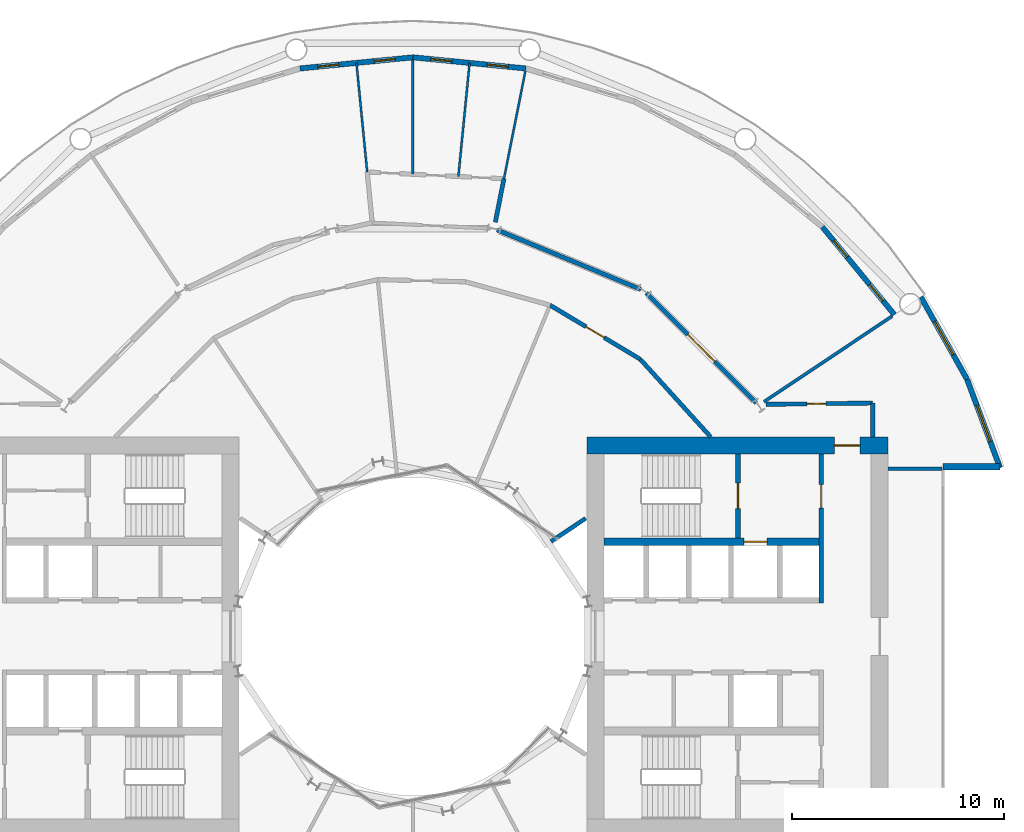
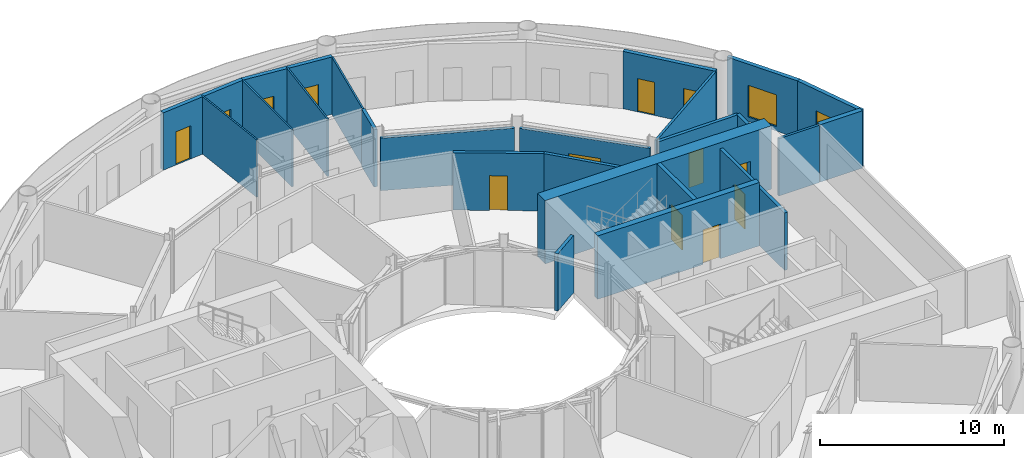
# One storey, part 15 of 19: 24 walls, 13 doors, 2 windows, 15 openings.
"""IFC4 building model written with IfcOpenShell, lengths in metres."""

from ifc_helpers import new_model, si_unit, direction, frame, frame_2d, origin, place, context, subcontext, project, spatial, rectangle, extrude, material, layer, layer_set, type_object, element, fill, save


model = new_model("IFC4")

# Units and contexts
model_context = context("Model", 3, precision=1e-05, world=origin(), true_north=direction((0.0, 1.0)))
body_context = subcontext(model_context, "Body", "Model", "MODEL_VIEW")
ifc_project = project(units=[si_unit("LENGTHUNIT", "METRE"), si_unit("AREAUNIT", "SQUARE_METRE"), si_unit("VOLUMEUNIT", "CUBIC_METRE"), si_unit("PLANEANGLEUNIT", "RADIAN"), si_unit("MASSUNIT", "GRAM", prefix="KILO")], contexts=[model_context])

# Site, building, storey
site_placement = place(None, origin())
site = spatial("IfcSite", under=ifc_project, at=site_placement, CompositionType="ELEMENT")
building_placement = place(site_placement, origin())
building = spatial("IfcBuilding", under=site, at=building_placement, Name="Maasbend Ring Residences", CompositionType="ELEMENT")
storey_placement = place(building_placement, frame((0.0, 0.0, 53.300048828125)))
storey = spatial("IfcBuildingStorey", under=building, at=storey_placement, Name="L15", CompositionType="ELEMENT", Elevation=53.300048828125)

# Wall, opening, door
ifc_material_1 = material(Name="Concrete C70/85", Category="concrete")
ifc_layer_1 = layer(ifc_material_1, 0.25)
ifc_layer_set_1 = layer_set([ifc_layer_1], Name="Concrete C70/85")
wall_type_1 = type_object("IfcWallType", Name="CORE WALL 250 C70/85", PredefinedType="SHEAR", material=ifc_layer_set_1)
wall_1_placement = place(storey_placement, frame((15.324951171875, 4.64990234375, 0.0), z_axis=(0.0, 0.0, 1.0), x_axis=(0.0, 1.0, 0.0)))
wall_1 = element("IfcWall", 1, at=wall_1_placement, inside=storey, type_object=wall_type_1, Name="L15 core E wall STEN", PredefinedType="SHEAR", context=body_context, shape_type="SweptSolid", body=[
    extrude(rectangle(XDim=3.9501953125, YDim=0.25, at=frame_2d((1.97509765625, 0.0))), origin(), (0.0, 0.0, 1.0), 4.199951171875),
])
opening_1_placement = place(wall_1_placement, frame((1.375, 0.0, 0.0)))
opening_1 = element("IfcOpeningElement", 2, at=opening_1_placement, cuts=wall_1, Name="Opening D-E1510", PredefinedType="OPENING", context=body_context, shape_type="SweptSolid", body=[
    extrude(rectangle(XDim=1.199951171875, YDim=2.300048828125, at=frame_2d((0.60009765625, 1.14990234375))), frame((0.0, 0.135009765625, 0.0), z_axis=(0.0, -1.0, 0.0), x_axis=(1.0, 0.0, 0.0)), (0.0, 0.0, 1.0), 0.27001953125),
])
ifc_material_2 = material(Name="Steel, powder coated", Category="steel")
door_type_1 = type_object("IfcDoorType", Name="STAIR DOOR 1200 X 2300 FD60", OperationType="NOTDEFINED", PredefinedType="DOOR", material=ifc_material_2)
door_1_placement = place(opening_1_placement, origin())
door_1 = element("IfcDoor", 3, at=door_1_placement, inside=storey, type_object=door_type_1, Name="Stair door ST-E L15", OperationType="SINGLE_SWING_LEFT", OverallHeight=2.300048828125, OverallWidth=1.199951171875, PredefinedType="DOOR", context=body_context, shape_type="SweptSolid", body=[
    extrude(rectangle(XDim=1.199951171875, YDim=2.300048828125, at=frame_2d((0.60009765625, 1.14990234375))), frame((0.0, 0.02490234375, 0.0), z_axis=(0.0, -1.0, 0.0), x_axis=(1.0, 0.0, 0.0)), (0.0, 0.0, 1.0), 0.050048828125),
])
fill(opening_1, door_1)

ifc_material_3 = material(Name="Concrete C70/85", Category="concrete")
ifc_layer_2 = layer(ifc_material_3, 0.375)
ifc_layer_set_2 = layer_set([ifc_layer_2], Name="Concrete C70/85")
wall_type_2 = type_object("IfcWallType", Name="CORE WALL 375 C70/85", PredefinedType="SHEAR", material=ifc_layer_set_2)
wall_2_placement = place(storey_placement, frame((9.0, 4.46240234375, 0.0), z_axis=(0.0, 0.0, 1.0), x_axis=(1.0, 0.0, 0.0)))
wall_2 = element("IfcWall", 4, at=wall_2_placement, inside=storey, type_object=wall_type_2, Name="L15 core E wall BN", PredefinedType="SHEAR", context=body_context, shape_type="SweptSolid", body=[
    extrude(rectangle(XDim=10.14990234375, YDim=0.375, at=frame_2d((5.074951171875, 0.0))), origin(), (0.0, 0.0, 1.0), 4.199951171875),
])
opening_2_placement = place(wall_2_placement, frame((6.60009765625, 0.0, 0.0)))
opening_2 = element("IfcOpeningElement", 5, at=opening_2_placement, cuts=wall_2, Name="Opening LD-E1504", PredefinedType="OPENING", context=body_context, shape_type="SweptSolid", body=[
    extrude(rectangle(XDim=1.10009765625, YDim=2.300048828125, at=frame_2d((0.550048828125, 1.14990234375))), frame((0.0, 0.197509765625, 0.0), z_axis=(0.0, -1.0, 0.0), x_axis=(1.0, 0.0, 0.0)), (0.0, 0.0, 1.0), 0.39501953125),
])
ifc_material_4 = material(Name="Stainless steel 316", Category="steel")
door_type_2 = type_object("IfcDoorType", Name="LANDING DOOR 1100 X 2300 FD60", OperationType="DOUBLE_DOOR_SLIDING", PredefinedType="DOOR", material=ifc_material_4)
door_2_placement = place(opening_2_placement, origin())
door_2 = element("IfcDoor", 6, at=door_2_placement, inside=storey, type_object=door_type_2, Name="Landing door FF-E L15", OperationType="DOUBLE_DOOR_SLIDING", OverallHeight=2.300048828125, OverallWidth=1.10009765625, PredefinedType="DOOR", context=body_context, shape_type="SweptSolid", body=[
    extrude(rectangle(XDim=1.10009765625, YDim=2.300048828125, at=frame_2d((0.550048828125, 1.14990234375))), frame((0.0, 0.02490234375, 0.0), z_axis=(0.0, -1.0, 0.0), x_axis=(1.0, 0.0, 0.0)), (0.0, 0.0, 1.0), 0.050048828125),
])
fill(opening_2, door_2)

ifc_material_5 = material(Name="Concrete C70/85", Category="concrete")
ifc_layer_3 = layer(ifc_material_5, 0.800048828125)
ifc_layer_set_3 = layer_set([ifc_layer_3], Name="Concrete C70/85")
wall_type_3 = type_object("IfcWallType", Name="CORE WALL 800 C70/85", PredefinedType="SHEAR", material=ifc_layer_set_3)
wall_3_placement = place(storey_placement, frame((22.39990234375, 9.0, 0.0), z_axis=(0.0, 0.0, 1.0), x_axis=(-1.0, 0.0, 0.0)))
wall_3 = element("IfcWall", 7, at=wall_3_placement, inside=storey, type_object=wall_type_3, Name="L15 core E wall PN", PredefinedType="SHEAR", context=body_context, shape_type="SweptSolid", body=[
    extrude(rectangle(XDim=14.199951171875, YDim=0.800048828125, at=frame_2d((7.10009765625, 0.0))), origin(), (0.0, 0.0, 1.0), 4.199951171875),
])
opening_3_placement = place(wall_3_placement, frame((1.324951171875, 0.0, 0.0)))
opening_3 = element("IfcOpeningElement", 8, at=opening_3_placement, cuts=wall_3, Name="Opening D-E1514", PredefinedType="OPENING", context=body_context, shape_type="SweptSolid", body=[
    extrude(rectangle(XDim=1.199951171875, YDim=2.300048828125, at=frame_2d((0.60009765625, 1.14990234375))), frame((0.0, 0.41015625, 0.0), z_axis=(0.0, -1.0, 0.0), x_axis=(1.0, 0.0, 0.0)), (0.0, 0.0, 1.0), 0.820068359375),
])
ifc_material_6 = material(Name="Steel, powder coated", Category="steel")
door_type_3 = type_object("IfcDoorType", Name="CORRIDOR DOOR 1200 X 2300 FD30S", OperationType="NOTDEFINED", PredefinedType="DOOR", material=ifc_material_6)
door_3_placement = place(opening_3_placement, origin())
door_3 = element("IfcDoor", 9, at=door_3_placement, inside=storey, type_object=door_type_3, Name="Corridor door L15", OperationType="SINGLE_SWING_RIGHT", OverallHeight=2.300048828125, OverallWidth=1.199951171875, PredefinedType="DOOR", context=body_context, shape_type="SweptSolid", body=[
    extrude(rectangle(XDim=1.199951171875, YDim=2.300048828125, at=frame_2d((0.60009765625, 1.14990234375))), frame((0.0, 0.02490234375, 0.0), z_axis=(0.0, -1.0, 0.0), x_axis=(1.0, 0.0, 0.0)), (0.0, 0.0, 1.0), 0.050048828125),
])
fill(opening_3, door_3)

# Walls
ifc_material_7 = material(Name="Concrete C30/37", Category="concrete")
ifc_layer_4 = layer(ifc_material_7, 0.199951171875)
ifc_layer_set_4 = layer_set([ifc_layer_4], Name="Concrete C30/37")
wall_type_4 = type_object("IfcWallType", Name="CORRIDOR WALL 200 CONCRETE", PredefinedType="PARTITIONING", material=ifc_layer_set_4)
wall_4_placement = place(storey_placement, frame((21.675048828125, 9.39990234375, 0.0), z_axis=(0.0, 0.0, 1.0), x_axis=(0.0, 1.0, 0.0)))
element("IfcWall", 10, at=wall_4_placement, inside=storey, type_object=wall_type_4, Name="U-L15-w003", PredefinedType="PARTITIONING", context=body_context, shape_type="SweptSolid", body=[
    extrude(rectangle(XDim=1.60009765625, YDim=0.199951171875, at=frame_2d((0.800048828125, 0.0))), origin(), (0.0, 0.0, 1.0), 3.800048828125),
])
wall_5_placement = place(storey_placement, frame((3.885009765625, 19.527099609375, 0.0), z_axis=(0.0, 0.0, 1.0), x_axis=(0.194745508922, 0.980853804986, 0.0)))
element("IfcWall", 11, at=wall_5_placement, inside=storey, type_object=wall_type_4, Name="U-L15-w045", PredefinedType="PARTITIONING", context=body_context, shape_type="SweptSolid", body=[
    extrude(rectangle(XDim=2.08984375, YDim=0.199951171875, at=frame_2d((1.044921875, 0.0))), origin(), (0.0, 0.0, 1.0), 3.800048828125),
])

# Wall, opening, door
wall_6_placement = place(storey_placement, frame((16.636962890625, 10.93798828125, 0.0), z_axis=(0.0, 0.0, 1.0), x_axis=(0.99992425795, 0.012307654658, 0.0)))
wall_6 = element("IfcWall", 12, at=wall_6_placement, inside=storey, type_object=wall_type_4, Name="U-L15-w053", PredefinedType="PARTITIONING", context=body_context, shape_type="SweptSolid", body=[
    extrude(rectangle(XDim=5.03857421875, YDim=0.199951171875, at=frame_2d((2.519287109375, 0.0))), origin(), (0.0, 0.0, 1.0), 3.800048828125),
])
opening_4_placement = place(wall_6_placement, frame((1.93408203125, 0.0, 0.0)))
opening_4 = element("IfcOpeningElement", 13, at=opening_4_placement, cuts=wall_6, Name="Opening D-1526", PredefinedType="OPENING", context=body_context, shape_type="SweptSolid", body=[
    extrude(rectangle(XDim=0.89990234375, YDim=2.300048828125, at=frame_2d((0.449951171875, 1.14990234375))), frame((0.0, 0.10986328125, 0.0), z_axis=(0.0, -1.0, 0.0), x_axis=(1.0, 0.0, 0.0)), (0.0, 0.0, 1.0), 0.219970703125),
])
ifc_material_8 = material(Name="Steel, fire-rated, painted", Category="steel")
door_type_4 = type_object("IfcDoorType", Name="SERVICE DOOR 900 X 2300 FIRE-RATED", OperationType="NOTDEFINED", PredefinedType="DOOR", material=ifc_material_8)
door_4_placement = place(opening_4_placement, origin())
door_4 = element("IfcDoor", 14, at=door_4_placement, inside=storey, type_object=door_type_4, Name="D-1526", OperationType="SINGLE_SWING_LEFT", OverallHeight=2.300048828125, OverallWidth=0.89990234375, PredefinedType="DOOR", context=body_context, shape_type="SweptSolid", body=[
    extrude(rectangle(XDim=0.89990234375, YDim=2.300048828125, at=frame_2d((0.449951171875, 1.14990234375))), frame((0.0, 0.02490234375, 0.0), z_axis=(0.0, -1.0, 0.0), x_axis=(1.0, 0.0, 0.0)), (0.0, 0.0, 1.0), 0.050048828125),
])
fill(opening_4, door_4)

wall_7_placement = place(storey_placement, frame((6.467041015625, 15.614013671875, 0.0), z_axis=(0.0, 0.0, 1.0), x_axis=(0.857696997328, -0.514155483074, 0.0)))
wall_7 = element("IfcWall", 15, at=wall_7_placement, inside=storey, type_object=wall_type_4, Name="U-L15-w055", PredefinedType="PARTITIONING", context=body_context, shape_type="SweptSolid", body=[
    extrude(rectangle(XDim=4.959716796875, YDim=0.199951171875, at=frame_2d((2.47998046875, 0.0))), origin(), (0.0, 0.0, 1.0), 3.800048828125),
])
opening_5_placement = place(wall_7_placement, frame((1.97998046875, 0.0, 0.0)))
opening_5 = element("IfcOpeningElement", 16, at=opening_5_placement, cuts=wall_7, Name="Opening D-1512", PredefinedType="OPENING", context=body_context, shape_type="SweptSolid", body=[
    extrude(rectangle(XDim=1.0, YDim=2.300048828125, at=frame_2d((0.5, 1.14990234375))), frame((0.0, 0.10986328125, 0.0), z_axis=(0.0, -1.0, 0.0), x_axis=(1.0, 0.0, 0.0)), (0.0, 0.0, 1.0), 0.219970703125),
])
ifc_material_9 = material(Name="Timber, painted", Category="wood")
door_type_5 = type_object("IfcDoorType", Name="ROOM DOOR 1000 X 2300", OperationType="NOTDEFINED", PredefinedType="DOOR", material=ifc_material_9)
door_5_placement = place(opening_5_placement, origin())
door_5 = element("IfcDoor", 17, at=door_5_placement, inside=storey, type_object=door_type_5, Name="D-1512", OperationType="SINGLE_SWING_LEFT", OverallHeight=2.300048828125, OverallWidth=1.0, PredefinedType="DOOR", context=body_context, shape_type="SweptSolid", body=[
    extrude(rectangle(XDim=1.0, YDim=2.300048828125, at=frame_2d((0.5, 1.14990234375))), frame((0.0, 0.02490234375, 0.0), z_axis=(0.0, -1.0, 0.0), x_axis=(1.0, 0.0, 0.0)), (0.0, 0.0, 1.0), 0.050048828125),
])
fill(opening_5, door_5)

# Walls
wall_8_placement = place(storey_placement, frame((10.720947265625, 13.06396484375, 0.0), z_axis=(0.0, 0.0, 1.0), x_axis=(0.671573636767, -0.740937818173, 0.0)))
element("IfcWall", 18, at=wall_8_placement, inside=storey, type_object=wall_type_4, Name="U-L15-w056", PredefinedType="PARTITIONING", context=body_context, shape_type="SweptSolid", body=[
    extrude(rectangle(XDim=4.945068359375, YDim=0.199951171875, at=frame_2d((2.47265625, 0.0))), origin(), (0.0, 0.0, 1.0), 3.800048828125),
])
wall_9_placement = place(storey_placement, frame((3.967041015625, 19.1640625, 0.0), z_axis=(0.0, 0.0, 1.0), x_axis=(0.923873274019, -0.382698541353, 0.0)))
element("IfcWall", 19, at=wall_9_placement, inside=storey, type_object=wall_type_4, Name="U-L15-w062", PredefinedType="PARTITIONING", context=body_context, shape_type="SweptSolid", body=[
    extrude(rectangle(XDim=7.337646484375, YDim=0.199951171875, at=frame_2d((3.6689453125, 0.0))), origin(), (0.0, 0.0, 1.0), 3.47998046875),
])

# Wall, opening, door
wall_10_placement = place(storey_placement, frame((10.9990234375, 16.18701171875, 0.0), z_axis=(0.0, 0.0, 1.0), x_axis=(0.707106781187, -0.707106781187, 0.0)))
wall_10 = element("IfcWall", 20, at=wall_10_placement, inside=storey, type_object=wall_type_4, Name="U-L15-w063", PredefinedType="PARTITIONING", context=body_context, shape_type="SweptSolid", body=[
    extrude(rectangle(XDim=7.3369140625, YDim=0.199951171875, at=frame_2d((3.66845703125, 0.0))), origin(), (0.0, 0.0, 1.0), 3.47998046875),
])
opening_6_placement = place(wall_10_placement, frame((2.76806640625, 0.0, 0.0)))
opening_6 = element("IfcOpeningElement", 21, at=opening_6_placement, cuts=wall_10, Name="Opening D-1509", PredefinedType="OPENING", context=body_context, shape_type="SweptSolid", body=[
    extrude(rectangle(XDim=1.800048828125, YDim=2.300048828125, at=frame_2d((0.89990234375, 1.14990234375))), frame((0.0, 0.10986328125, 0.0), z_axis=(0.0, -1.0, 0.0), x_axis=(1.0, 0.0, 0.0)), (0.0, 0.0, 1.0), 0.219970703125),
])
ifc_material_10 = material(Name="Timber, painted", Category="wood")
door_type_6 = type_object("IfcDoorType", Name="DOUBLE DOOR 1800 X 2300", OperationType="NOTDEFINED", PredefinedType="DOOR", material=ifc_material_10)
door_6_placement = place(opening_6_placement, origin())
door_6 = element("IfcDoor", 22, at=door_6_placement, inside=storey, type_object=door_type_6, Name="D-1509", OperationType="DOUBLE_DOOR_SINGLE_SWING", OverallHeight=2.300048828125, OverallWidth=1.800048828125, PredefinedType="DOOR", context=body_context, shape_type="SweptSolid", body=[
    extrude(rectangle(XDim=1.800048828125, YDim=2.300048828125, at=frame_2d((0.89990234375, 1.14990234375))), frame((0.0, 0.02490234375, 0.0), z_axis=(0.0, -1.0, 0.0), x_axis=(1.0, 0.0, 0.0)), (0.0, 0.0, 1.0), 0.050048828125),
])
fill(opening_6, door_6)

# Wall, openings, doors
ifc_material_11 = material(Name="Aluminium clad insulated panel", Category="aluminium")
ifc_layer_5 = layer(ifc_material_11, 0.25)
ifc_layer_set_5 = layer_set([ifc_layer_5], Name="EW-GL")
wall_type_5 = type_object("IfcWallType", Name="EW-GL", PredefinedType="SOLIDWALL", material=ifc_layer_set_5)
wall_11_placement = place(storey_placement, frame((22.698974609375, 15.1669921875, 0.0), z_axis=(0.0, 0.0, 1.0), x_axis=(-0.634382322723, 0.773019449054, 0.0)))
wall_11 = element("IfcWall", 23, at=wall_11_placement, inside=storey, type_object=wall_type_5, Name="External wall N01", PredefinedType="SOLIDWALL", context=body_context, shape_type="SweptSolid", body=[
    extrude(rectangle(XDim=5.351806640625, YDim=0.25, at=frame_2d((2.67578125, 0.0))), origin(), (0.0, 0.0, 1.0), 3.800048828125),
])
opening_7_placement = place(wall_11_placement, frame((0.841064453125, 0.0, 0.0)))
opening_7 = element("IfcOpeningElement", 24, at=opening_7_placement, cuts=wall_11, Name="Opening D-LG", PredefinedType="OPENING", context=body_context, shape_type="SweptSolid", body=[
    extrude(rectangle(XDim=1.0, YDim=2.199951171875, at=frame_2d((0.5, 1.10009765625))), frame((0.0, 0.135009765625, 0.0), z_axis=(0.0, -1.0, 0.0), x_axis=(1.0, 0.0, 0.0)), (0.0, 0.0, 1.0), 0.27001953125),
])
opening_8_placement = place(wall_11_placement, frame((3.510498046875, 0.0, 0.0)))
opening_8 = element("IfcOpeningElement", 25, at=opening_8_placement, cuts=wall_11, Name="Opening D-LG", PredefinedType="OPENING", context=body_context, shape_type="SweptSolid", body=[
    extrude(rectangle(XDim=1.0, YDim=2.199951171875, at=frame_2d((0.5, 1.10009765625))), frame((0.0, 0.135009765625, 0.0), z_axis=(0.0, -1.0, 0.0), x_axis=(1.0, 0.0, 0.0)), (0.0, 0.0, 1.0), 0.27001953125),
])
ifc_material_12 = material(Name="Aluminium and clear glass", Category="aluminium")
door_type_7 = type_object("IfcDoorType", Name="D-LG", OperationType="SINGLE_SWING_LEFT", PredefinedType="DOOR", material=ifc_material_12)
door_7_placement = place(opening_7_placement, origin())
door_7 = element("IfcDoor", 26, at=door_7_placement, inside=storey, type_object=door_type_7, Name="Loggia door N01", OperationType="SINGLE_SWING_LEFT", OverallHeight=2.199951171875, OverallWidth=1.0, PredefinedType="DOOR", context=body_context, shape_type="SweptSolid", body=[
    extrude(rectangle(XDim=1.0, YDim=2.199951171875, at=frame_2d((0.5, 1.10009765625))), frame((0.0, 0.02490234375, 0.0), z_axis=(0.0, -1.0, 0.0), x_axis=(1.0, 0.0, 0.0)), (0.0, 0.0, 1.0), 0.050048828125),
])
fill(opening_7, door_7)
door_8_placement = place(opening_8_placement, origin())
door_8 = element("IfcDoor", 27, at=door_8_placement, inside=storey, type_object=door_type_7, Name="Loggia door N02", OperationType="SINGLE_SWING_LEFT", OverallHeight=2.199951171875, OverallWidth=1.0, PredefinedType="DOOR", context=body_context, shape_type="SweptSolid", body=[
    extrude(rectangle(XDim=1.0, YDim=2.199951171875, at=frame_2d((0.5, 1.10009765625))), frame((0.0, 0.02490234375, 0.0), z_axis=(0.0, -1.0, 0.0), x_axis=(1.0, 0.0, 0.0)), (0.0, 0.0, 1.0), 0.050048828125),
])
fill(opening_8, door_8)

wall_12_placement = place(storey_placement, frame((5.325927734375, 26.77490234375, 0.0), z_axis=(0.0, 0.0, 1.0), x_axis=(-0.995173996315, 0.098126026407, 0.0)))
wall_12 = element("IfcWall", 28, at=wall_12_placement, inside=storey, type_object=wall_type_5, Name="External wall N05", PredefinedType="SOLIDWALL", context=body_context, shape_type="SweptSolid", body=[
    extrude(rectangle(XDim=5.351806640625, YDim=0.25, at=frame_2d((2.67578125, 0.0))), origin(), (0.0, 0.0, 1.0), 3.800048828125),
])
opening_9_placement = place(wall_12_placement, frame((0.841064453125, 0.0, 0.0)))
opening_9 = element("IfcOpeningElement", 29, at=opening_9_placement, cuts=wall_12, Name="Opening D-LG", PredefinedType="OPENING", context=body_context, shape_type="SweptSolid", body=[
    extrude(rectangle(XDim=1.0, YDim=2.199951171875, at=frame_2d((0.5, 1.10009765625))), frame((0.0, 0.135009765625, 0.0), z_axis=(0.0, -1.0, 0.0), x_axis=(1.0, 0.0, 0.0)), (0.0, 0.0, 1.0), 0.27001953125),
])
opening_10_placement = place(wall_12_placement, frame((3.510498046875, 0.0, 0.0)))
opening_10 = element("IfcOpeningElement", 30, at=opening_10_placement, cuts=wall_12, Name="Opening D-LG", PredefinedType="OPENING", context=body_context, shape_type="SweptSolid", body=[
    extrude(rectangle(XDim=1.0, YDim=2.199951171875, at=frame_2d((0.5, 1.10009765625))), frame((0.0, 0.135009765625, 0.0), z_axis=(0.0, -1.0, 0.0), x_axis=(1.0, 0.0, 0.0)), (0.0, 0.0, 1.0), 0.27001953125),
])
door_9_placement = place(opening_9_placement, origin())
door_9 = element("IfcDoor", 31, at=door_9_placement, inside=storey, type_object=door_type_7, Name="Loggia door N09", OperationType="SINGLE_SWING_LEFT", OverallHeight=2.199951171875, OverallWidth=1.0, PredefinedType="DOOR", context=body_context, shape_type="SweptSolid", body=[
    extrude(rectangle(XDim=1.0, YDim=2.199951171875, at=frame_2d((0.5, 1.10009765625))), frame((0.0, 0.02490234375, 0.0), z_axis=(0.0, -1.0, 0.0), x_axis=(1.0, 0.0, 0.0)), (0.0, 0.0, 1.0), 0.050048828125),
])
fill(opening_9, door_9)
door_10_placement = place(opening_10_placement, origin())
door_10 = element("IfcDoor", 32, at=door_10_placement, inside=storey, type_object=door_type_7, Name="Loggia door N10", OperationType="SINGLE_SWING_LEFT", OverallHeight=2.199951171875, OverallWidth=1.0, PredefinedType="DOOR", context=body_context, shape_type="SweptSolid", body=[
    extrude(rectangle(XDim=1.0, YDim=2.199951171875, at=frame_2d((0.5, 1.10009765625))), frame((0.0, 0.02490234375, 0.0), z_axis=(0.0, -1.0, 0.0), x_axis=(1.0, 0.0, 0.0)), (0.0, 0.0, 1.0), 0.050048828125),
])
fill(opening_10, door_10)

wall_13_placement = place(storey_placement, frame((0.0, 27.300048828125, 0.0), z_axis=(0.0, 0.0, 1.0), x_axis=(-0.995173996315, -0.098126026407, 0.0)))
wall_13 = element("IfcWall", 33, at=wall_13_placement, inside=storey, type_object=wall_type_5, Name="External wall N06", PredefinedType="SOLIDWALL", context=body_context, shape_type="SweptSolid", body=[
    extrude(rectangle(XDim=5.351806640625, YDim=0.25, at=frame_2d((2.67578125, 0.0))), origin(), (0.0, 0.0, 1.0), 3.800048828125),
])
opening_11_placement = place(wall_13_placement, frame((0.841064453125, 0.0, 0.0)))
opening_11 = element("IfcOpeningElement", 34, at=opening_11_placement, cuts=wall_13, Name="Opening D-LG", PredefinedType="OPENING", context=body_context, shape_type="SweptSolid", body=[
    extrude(rectangle(XDim=1.0, YDim=2.199951171875, at=frame_2d((0.5, 1.10009765625))), frame((0.0, 0.135009765625, 0.0), z_axis=(0.0, -1.0, 0.0), x_axis=(1.0, 0.0, 0.0)), (0.0, 0.0, 1.0), 0.27001953125),
])
opening_12_placement = place(wall_13_placement, frame((3.510498046875, 0.0, 0.0)))
opening_12 = element("IfcOpeningElement", 35, at=opening_12_placement, cuts=wall_13, Name="Opening D-LG", PredefinedType="OPENING", context=body_context, shape_type="SweptSolid", body=[
    extrude(rectangle(XDim=1.0, YDim=2.199951171875, at=frame_2d((0.5, 1.10009765625))), frame((0.0, 0.135009765625, 0.0), z_axis=(0.0, -1.0, 0.0), x_axis=(1.0, 0.0, 0.0)), (0.0, 0.0, 1.0), 0.27001953125),
])
door_11_placement = place(opening_11_placement, origin())
door_11 = element("IfcDoor", 36, at=door_11_placement, inside=storey, type_object=door_type_7, Name="Loggia door N11", OperationType="SINGLE_SWING_LEFT", OverallHeight=2.199951171875, OverallWidth=1.0, PredefinedType="DOOR", context=body_context, shape_type="SweptSolid", body=[
    extrude(rectangle(XDim=1.0, YDim=2.199951171875, at=frame_2d((0.5, 1.10009765625))), frame((0.0, 0.02490234375, 0.0), z_axis=(0.0, -1.0, 0.0), x_axis=(1.0, 0.0, 0.0)), (0.0, 0.0, 1.0), 0.050048828125),
])
fill(opening_11, door_11)
door_12_placement = place(opening_12_placement, origin())
door_12 = element("IfcDoor", 37, at=door_12_placement, inside=storey, type_object=door_type_7, Name="Loggia door N12", OperationType="SINGLE_SWING_LEFT", OverallHeight=2.199951171875, OverallWidth=1.0, PredefinedType="DOOR", context=body_context, shape_type="SweptSolid", body=[
    extrude(rectangle(XDim=1.0, YDim=2.199951171875, at=frame_2d((0.5, 1.10009765625))), frame((0.0, 0.02490234375, 0.0), z_axis=(0.0, -1.0, 0.0), x_axis=(1.0, 0.0, 0.0)), (0.0, 0.0, 1.0), 0.050048828125),
])
fill(opening_12, door_12)

# Wall, opening, window
ifc_material_13 = material(Name="Aluminium clad insulated panel", Category="aluminium")
ifc_layer_6 = layer(ifc_material_13, 0.25)
ifc_layer_set_6 = layer_set([ifc_layer_6], Name="EW-HORN")
wall_type_6 = type_object("IfcWallType", Name="EW-HORN", PredefinedType="SOLIDWALL", material=ifc_layer_set_6)
wall_14_placement = place(storey_placement, frame((27.681884765625, 7.945068359375, 0.0), z_axis=(0.0, 0.0, 1.0), x_axis=(-0.349247811493, 0.937030397675, 0.0)))
wall_14 = element("IfcWall", 38, at=wall_14_placement, inside=storey, type_object=wall_type_6, Name="Horn wall 1.1", PredefinedType="SOLIDWALL", context=body_context, shape_type="SweptSolid", body=[
    extrude(rectangle(XDim=4.4521484375, YDim=0.25, at=frame_2d((2.22607421875, 0.0))), origin(), (0.0, 0.0, 1.0), 3.800048828125),
])
opening_13_placement = place(wall_14_placement, frame((1.32666015625, 0.0, 0.300048828125)))
opening_13 = element("IfcOpeningElement", 39, at=opening_13_placement, cuts=wall_14, Name="Opening W-BX", PredefinedType="OPENING", context=body_context, shape_type="SweptSolid", body=[
    extrude(rectangle(XDim=1.800048828125, YDim=2.10009765625, at=frame_2d((0.89990234375, 1.050048828125))), frame((0.0, 0.135009765625, 0.0), z_axis=(0.0, -1.0, 0.0), x_axis=(1.0, 0.0, 0.0)), (0.0, 0.0, 1.0), 0.27001953125),
])
ifc_material_14 = material(Name="Aluminium and clear glass", Category="aluminium")
window_type = type_object("IfcWindowType", Name="W-BX", PartitioningType="DOUBLE_PANEL_VERTICAL", PredefinedType="WINDOW", material=ifc_material_14)
window_1_placement = place(opening_13_placement, origin())
window_1 = element("IfcWindow", 40, at=window_1_placement, inside=storey, type_object=window_type, Name="Horn window 1.1", OverallHeight=2.10009765625, OverallWidth=1.800048828125, PartitioningType="SINGLE_PANEL", PredefinedType="WINDOW", context=body_context, shape_type="SweptSolid", body=[
    extrude(rectangle(XDim=1.800048828125, YDim=2.10009765625, at=frame_2d((0.89990234375, 1.050048828125))), frame((0.0, 0.030029296875, 0.0), z_axis=(0.0, -1.0, 0.0), x_axis=(1.0, 0.0, 0.0)), (0.0, 0.0, 1.0), 0.06005859375),
])
fill(opening_13, window_1)

wall_15_placement = place(storey_placement, frame((26.126953125, 12.116943359375, 0.0), z_axis=(0.0, 0.0, 1.0), x_axis=(-0.489696356642, 0.871893042919, 0.0)))
wall_15 = element("IfcWall", 41, at=wall_15_placement, inside=storey, type_object=wall_type_6, Name="Horn wall 1.2", PredefinedType="SOLIDWALL", context=body_context, shape_type="SweptSolid", body=[
    extrude(rectangle(XDim=4.45361328125, YDim=0.25, at=frame_2d((2.226806640625, 0.0))), origin(), (0.0, 0.0, 1.0), 3.800048828125),
])
opening_14_placement = place(wall_15_placement, frame((1.32666015625, 0.0, 0.300048828125)))
opening_14 = element("IfcOpeningElement", 42, at=opening_14_placement, cuts=wall_15, Name="Opening W-BX", PredefinedType="OPENING", context=body_context, shape_type="SweptSolid", body=[
    extrude(rectangle(XDim=1.800048828125, YDim=2.10009765625, at=frame_2d((0.89990234375, 1.050048828125))), frame((0.0, 0.135009765625, 0.0), z_axis=(0.0, -1.0, 0.0), x_axis=(1.0, 0.0, 0.0)), (0.0, 0.0, 1.0), 0.27001953125),
])
window_2_placement = place(opening_14_placement, origin())
window_2 = element("IfcWindow", 43, at=window_2_placement, inside=storey, type_object=window_type, Name="Horn window 1.2", OverallHeight=2.10009765625, OverallWidth=1.800048828125, PartitioningType="SINGLE_PANEL", PredefinedType="WINDOW", context=body_context, shape_type="SweptSolid", body=[
    extrude(rectangle(XDim=1.800048828125, YDim=2.10009765625, at=frame_2d((0.89990234375, 1.050048828125))), frame((0.0, 0.030029296875, 0.0), z_axis=(0.0, -1.0, 0.0), x_axis=(1.0, 0.0, 0.0)), (0.0, 0.0, 1.0), 0.06005859375),
])
fill(opening_14, window_2)

# Walls
ifc_material_15 = material(Name="Aluminium clad insulated panel", Category="aluminium")
ifc_layer_7 = layer(ifc_material_15, 0.300048828125)
ifc_layer_set_7 = layer_set([ifc_layer_7], Name="EW-RET")
wall_type_7 = type_object("IfcWallType", Name="EW-RET", PredefinedType="SOLIDWALL", material=ifc_layer_set_7)
wall_16_placement = place(storey_placement, frame((25.0, 8.0, 0.0), z_axis=(0.0, 0.0, 1.0), x_axis=(1.0, 0.0, 0.0)))
element("IfcWall", 44, at=wall_16_placement, inside=storey, type_object=wall_type_7, Name="Notch return wall east north", PredefinedType="SOLIDWALL", context=body_context, shape_type="SweptSolid", body=[
    extrude(rectangle(XDim=2.6669921875, YDim=0.300048828125, at=frame_2d((1.33349609375, 0.0))), origin(), (0.0, 0.0, 1.0), 3.800048828125),
])
ifc_material_16 = material(Name="Gypsum board on steel studs", Category="steel")
ifc_layer_8 = layer(ifc_material_16, 0.10009765625)
ifc_layer_set_8 = layer_set([ifc_layer_8], Name="PARTITION 100 GYPSUM")
wall_type_8 = type_object("IfcWallType", Name="PARTITION 100 GYPSUM", PredefinedType="PARTITIONING", material=ifc_layer_set_8)
wall_17_placement = place(storey_placement, frame((-2.6630859375, 27.0439453125, 0.0), z_axis=(0.0, 0.0, 1.0), x_axis=(0.097990148768, -0.995187384739, 0.0)))
element("IfcWall", 45, at=wall_17_placement, inside=storey, type_object=wall_type_8, Name="U-L15-w037", PredefinedType="PARTITIONING", context=body_context, shape_type="SweptSolid", body=[
    extrude(rectangle(XDim=5.1748046875, YDim=0.10009765625, at=frame_2d((2.58740234375, 0.0))), origin(), (0.0, 0.0, 1.0), 3.800048828125),
])
wall_18_placement = place(storey_placement, frame((-0.007080078125, 21.7880859375, 0.0), z_axis=(0.0, 0.0, 1.0), x_axis=(-0.000362565125, 0.999999934273, 0.0)))
element("IfcWall", 46, at=wall_18_placement, inside=storey, type_object=wall_type_8, Name="U-L15-w040", PredefinedType="PARTITIONING", context=body_context, shape_type="SweptSolid", body=[
    extrude(rectangle(XDim=5.386962890625, YDim=0.10009765625, at=frame_2d((2.693359375, 0.0))), origin(), (0.0, 0.0, 1.0), 3.800048828125),
])
wall_19_placement = place(storey_placement, frame((2.14306640625, 21.68310546875, 0.0), z_axis=(0.0, 0.0, 1.0), x_axis=(0.098229025711, 0.995163835008, 0.0)))
element("IfcWall", 47, at=wall_19_placement, inside=storey, type_object=wall_type_8, Name="U-L15-w042", PredefinedType="PARTITIONING", context=body_context, shape_type="SweptSolid", body=[
    extrude(rectangle(XDim=5.385986328125, YDim=0.10009765625, at=frame_2d((2.69287109375, 0.0))), origin(), (0.0, 0.0, 1.0), 3.800048828125),
])
wall_20_placement = place(storey_placement, frame((4.2919921875, 21.576904296875, 0.0), z_axis=(0.0, 0.0, 1.0), x_axis=(0.19514541008, 0.980774321098, 0.0)))
element("IfcWall", 48, at=wall_20_placement, inside=storey, type_object=wall_type_8, Name="U-L15-w046", PredefinedType="PARTITIONING", context=body_context, shape_type="SweptSolid", body=[
    extrude(rectangle(XDim=5.17578125, YDim=0.10009765625, at=frame_2d((2.587890625, 0.0))), origin(), (0.0, 0.0, 1.0), 3.800048828125),
])
ifc_material_17 = material(Name="Gypsum board on steel studs", Category="steel")
ifc_layer_9 = layer(ifc_material_17, 0.14990234375)
ifc_layer_set_9 = layer_set([ifc_layer_9], Name="PARTITION 150 EI 60")
wall_type_9 = type_object("IfcWallType", Name="PARTITION 150 EI 60", PredefinedType="PARTITIONING", material=ifc_layer_set_9)
wall_21_placement = place(storey_placement, frame((22.39990234375, 7.89990234375, 0.0), z_axis=(0.0, 0.0, 1.0), x_axis=(1.0, 0.0, 0.0)))
element("IfcWall", 49, at=wall_21_placement, inside=storey, type_object=wall_type_9, Name="L15 core E wall CITN", PredefinedType="PARTITIONING", context=body_context, shape_type="SweptSolid", body=[
    extrude(rectangle(XDim=2.5400390625, YDim=0.14990234375, at=frame_2d((1.27001953125, 0.0))), origin(), (0.0, 0.0, 1.0), 3.800048828125),
])
ifc_material_18 = material(Name="Gypsum board on steel studs", Category="steel")
ifc_layer_10 = layer(ifc_material_18, 0.14990234375)
ifc_layer_set_10 = layer_set([ifc_layer_10], Name="PARTITION 150 GYPSUM")
wall_type_10 = type_object("IfcWallType", Name="PARTITION 150 GYPSUM", PredefinedType="PARTITIONING", material=ifc_layer_set_10)
wall_22_placement = place(storey_placement, frame((16.554931640625, 11.06103515625, 0.0), z_axis=(0.0, 0.0, 1.0), x_axis=(0.831403467378, 0.55566921314, 0.0)))
element("IfcWall", 50, at=wall_22_placement, inside=storey, type_object=wall_type_10, Name="U-L15-w049", PredefinedType="PARTITIONING", context=body_context, shape_type="SweptSolid", body=[
    extrude(rectangle(XDim=7.264892578125, YDim=0.14990234375, at=frame_2d((3.63232421875, 0.0))), origin(), (0.0, 0.0, 1.0), 3.800048828125),
])
ifc_material_19 = material(Name="Concrete C30/37", Category="concrete")
ifc_layer_11 = layer(ifc_material_19, 0.199951171875)
ifc_layer_set_11 = layer_set([ifc_layer_11], Name="Concrete C30/37")
wall_type_11 = type_object("IfcWallType", Name="PARTY WALL 200 CONCRETE", PredefinedType="PARTITIONING", material=ifc_layer_set_11)
wall_23_placement = place(storey_placement, frame((6.512939453125, 4.471923828125, 0.0), z_axis=(0.0, 0.0, 1.0), x_axis=(0.831417956244, 0.555647533996, 0.0)))
element("IfcWall", 51, at=wall_23_placement, inside=storey, type_object=wall_type_11, Name="U-L15-w051", PredefinedType="PARTITIONING", context=body_context, shape_type="SweptSolid", body=[
    extrude(rectangle(XDim=1.9619140625, YDim=0.199951171875, at=frame_2d((0.98095703125, 0.0))), origin(), (0.0, 0.0, 1.0), 3.800048828125),
])

# Wall, opening, door
ifc_material_20 = material(Name="Concrete C30/37", Category="concrete")
ifc_layer_12 = layer(ifc_material_20, 0.199951171875)
ifc_layer_set_12 = layer_set([ifc_layer_12], Name="Concrete C30/37")
wall_type_12 = type_object("IfcWallType", Name="SHAFT WALL 200 EI 120", PredefinedType="SOLIDWALL", material=ifc_layer_set_12)
wall_24_placement = place(storey_placement, frame((19.25, 1.574951171875, 0.0), z_axis=(0.0, 0.0, 1.0), x_axis=(0.0, 1.0, 0.0)))
wall_24 = element("IfcWall", 52, at=wall_24_placement, inside=storey, type_object=wall_type_12, Name="L15 core E wall ENDN", PredefinedType="SOLIDWALL", context=body_context, shape_type="SweptSolid", body=[
    extrude(rectangle(XDim=7.025146484375, YDim=0.199951171875, at=frame_2d((3.5126953125, 0.0))), origin(), (0.0, 0.0, 1.0), 3.800048828125),
])
opening_15_placement = place(wall_24_placement, frame((4.47509765625, 0.0, 0.0)))
opening_15 = element("IfcOpeningElement", 53, at=opening_15_placement, cuts=wall_24, Name="Opening D-E1512", PredefinedType="OPENING", context=body_context, shape_type="SweptSolid", body=[
    extrude(rectangle(XDim=1.10009765625, YDim=2.300048828125, at=frame_2d((0.550048828125, 1.14990234375))), frame((0.0, 0.10986328125, 0.0), z_axis=(0.0, -1.0, 0.0), x_axis=(1.0, 0.0, 0.0)), (0.0, 0.0, 1.0), 0.219970703125),
])
ifc_material_21 = material(Name="Steel, powder coated", Category="steel")
door_type_8 = type_object("IfcDoorType", Name="LOBBY DOOR 1100 X 2300 FD60", OperationType="NOTDEFINED", PredefinedType="DOOR", material=ifc_material_21)
door_13_placement = place(opening_15_placement, origin())
door_13 = element("IfcDoor", 54, at=door_13_placement, inside=storey, type_object=door_type_8, Name="Lobby door L15", OperationType="SINGLE_SWING_LEFT", OverallHeight=2.300048828125, OverallWidth=1.10009765625, PredefinedType="DOOR", context=body_context, shape_type="SweptSolid", body=[
    extrude(rectangle(XDim=1.10009765625, YDim=2.300048828125, at=frame_2d((0.550048828125, 1.14990234375))), frame((0.0, 0.02490234375, 0.0), z_axis=(0.0, -1.0, 0.0), x_axis=(1.0, 0.0, 0.0)), (0.0, 0.0, 1.0), 0.050048828125),
])
fill(opening_15, door_13)

save(model, "model.ifc")
